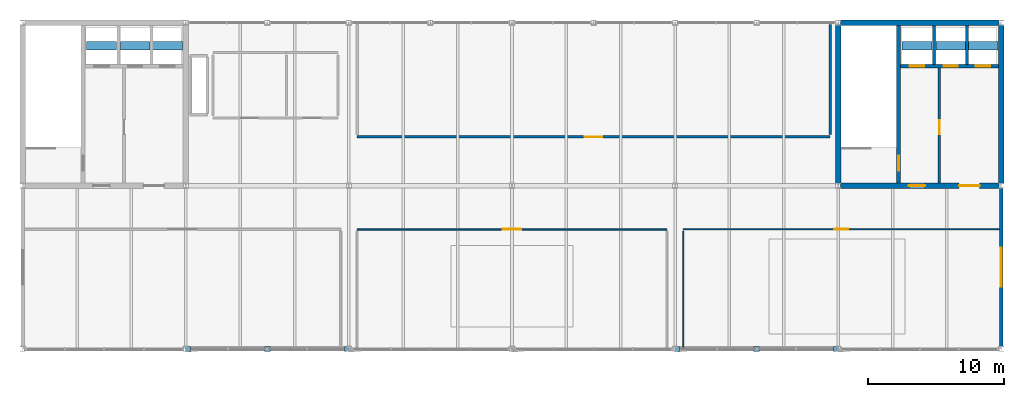
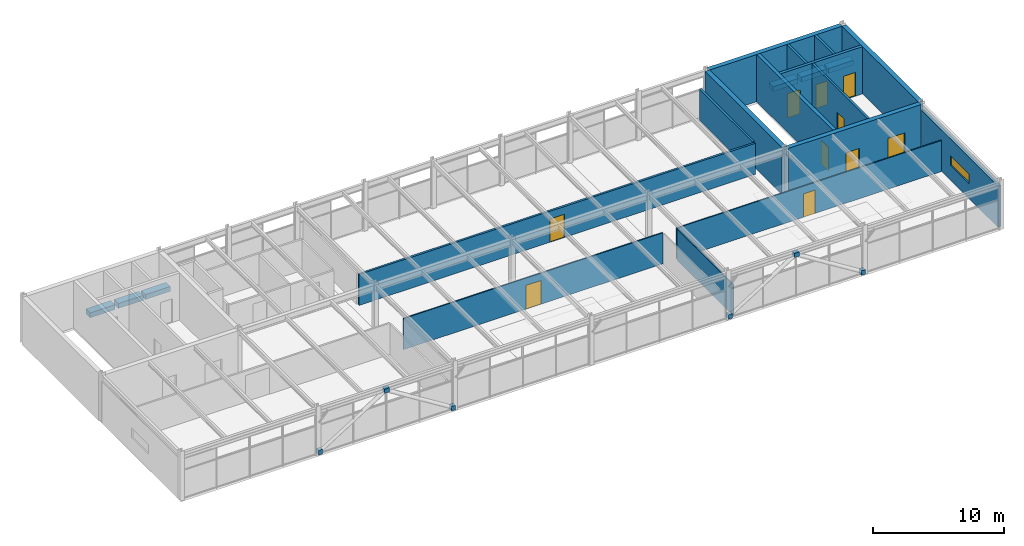
# One storey, part 27 of 28: 15 walls, 12 discrete accessories, 10 doors, 1 window, 11 openings.
"""IFC4 building model written with IfcOpenShell, lengths in metres."""

import ifcopenshell
import ifcopenshell.guid

model = None  # the IFC model being written
_history = None  # IfcOwnerHistory: only IFC2X3 demands one
_inside = {}  # id of a spatial element -> (the spatial element, [elements in it])
_under = {}  # id of a project, library or spatial element -> (it, [spatial elements below it])
_declared = {}  # id of a project -> (the project, [libraries it declares])
_typed = {}  # id of a type object -> (the type object, [elements of that type])
_made_of = {}  # id of a material, layer set ... -> (it, [elements and type objects made of it])


def new_model(schema):
    """Start an empty IFC model of exactly this schema.

    Asked for "IFC4X3", IfcOpenShell would pick the latest addendum, in which some entities
    have other attributes; the version numbers below select the first issue.
    IFC2X3 requires an IfcOwnerHistory on every rooted entity: one is made here for all.
    """
    global model, _history
    if schema == "IFC4X3":
        model = ifcopenshell.file(schema_version=(4, 3, 0, 0))
    else:
        model = ifcopenshell.file(schema=schema)
    _inside.clear()
    _under.clear()
    _declared.clear()
    _typed.clear()
    _made_of.clear()
    _history = None
    if model.schema == "IFC2X3":
        org = make("IfcOrganization", Name="unknown")
        user = make(
            "IfcPersonAndOrganization",
            ThePerson=make("IfcPerson", FamilyName="unknown"),
            TheOrganization=org,
        )
        app = make(
            "IfcApplication",
            ApplicationDeveloper=org,
            Version="unknown",
            ApplicationFullName="unknown",
            ApplicationIdentifier="unknown",
        )
        _history = make(
            "IfcOwnerHistory",
            OwningUser=user,
            OwningApplication=app,
            ChangeAction="ADDED",
            CreationDate=0,
        )
    return model


def make(cls, **values):
    """One entity of the class cls with the attributes given. An attribute that is None is left unset."""
    return model.create_entity(
        cls, **{name: value for name, value in values.items() if value is not None}
    )


def rooted(cls, **values):
    """An entity with a GlobalId (a new one), such as an element, a storey or a relation."""
    return make(cls, GlobalId=ifcopenshell.guid.new(), OwnerHistory=_history, **values)


def si_unit(unit_type, name, prefix=None):
    """IfcSIUnit, for example si_unit("LENGTHUNIT", "METRE", prefix="MILLI")."""
    return make("IfcSIUnit", UnitType=unit_type, Prefix=prefix, Name=name)


def assignment(units):
    """IfcUnitAssignment: the units of a project."""
    return None if units is None else make("IfcUnitAssignment", Units=units)


def point(xyz):
    """IfcCartesianPoint."""
    return None if xyz is None else make("IfcCartesianPoint", Coordinates=xyz)


def direction(xyz):
    """IfcDirection."""
    return None if xyz is None else make("IfcDirection", DirectionRatios=xyz)


def frame(location, z_axis=None, x_axis=None):
    """IfcAxis2Placement3D, a coordinate frame: its origin and axes. An axis left out is left unset."""
    return make(
        "IfcAxis2Placement3D",
        Location=point(location),
        Axis=direction(z_axis),
        RefDirection=direction(x_axis),
    )


def frame_2d(location, x_axis=None):
    """IfcAxis2Placement2D, a coordinate frame in the plane: its origin and x axis."""
    return make(
        "IfcAxis2Placement2D", Location=point(location), RefDirection=direction(x_axis)
    )


def origin():
    """The frame at (0, 0, 0) with its axes left unset."""
    return frame((0.0, 0.0, 0.0))


def origin_2d():
    """The frame at (0, 0) in the plane with its x axis left unset."""
    return frame_2d((0.0, 0.0))


def place(relative_to, where):
    """IfcLocalPlacement: puts the frame where relative to a parent placement (None: the world)."""
    return make(
        "IfcLocalPlacement", PlacementRelTo=relative_to, RelativePlacement=where
    )


def context(
    kind, dimensions, precision=None, world=None, true_north=None, identifier=None
):
    """IfcGeometricRepresentationContext, for example the 3D "Model" context."""
    return make(
        "IfcGeometricRepresentationContext",
        ContextIdentifier=identifier,
        ContextType=kind,
        CoordinateSpaceDimension=dimensions,
        Precision=precision,
        WorldCoordinateSystem=world,
        TrueNorth=true_north,
    )


def subcontext(parent, identifier, kind, view, scale=None):
    """IfcGeometricRepresentationSubContext, for example "Body" below "Model"."""
    return make(
        "IfcGeometricRepresentationSubContext",
        ContextIdentifier=identifier,
        ContextType=kind,
        ParentContext=parent,
        TargetScale=scale,
        TargetView=view,
    )


def project(units=None, contexts=None):
    """IfcProject with its units and contexts."""
    return rooted(
        "IfcProject",
        Name="project",
        RepresentationContexts=contexts,
        UnitsInContext=assignment(units),
    )


def spatial(cls, under=None, at=None, **own):
    """A site, building, storey or space (cls), placed at a placement, below another one or the project."""
    s = rooted(cls, ObjectPlacement=at, **own)
    if under is not None:
        _under.setdefault(under.id(), (under, []))[1].append(s)
    return s


def profile(cls, at=None, kind="AREA", **sizes):
    """A parametric profile (cls). Its sizes go by their IFC names, for example OverallWidth=200.0."""
    return make(cls, ProfileType=kind, Position=at, **sizes)


def rectangle(**sizes):
    """IfcRectangleProfileDef."""
    return profile("IfcRectangleProfileDef", **sizes)


def extrude(swept, where, along, depth):
    """IfcExtrudedAreaSolid: the profile swept, set in the frame where, extruded along a direction by depth."""
    return make(
        "IfcExtrudedAreaSolid",
        SweptArea=swept,
        Position=where,
        ExtrudedDirection=direction(along),
        Depth=depth,
    )


def shape(context_of_items, identifier, shape_type, items):
    """IfcShapeRepresentation: the items that make up one representation, for example the "Body"."""
    return make(
        "IfcShapeRepresentation",
        ContextOfItems=context_of_items,
        RepresentationIdentifier=identifier,
        RepresentationType=shape_type,
        Items=items,
    )


def material(Name=None, Category=None):
    """IfcMaterial."""
    return make("IfcMaterial", Name=Name, Category=Category)


def layer(
    of_material, thickness, ventilated=None, Name=None, Category=None, Priority=None
):
    """IfcMaterialLayer: one layer of a wall or slab, of a material (None: an air gap)."""
    return make(
        "IfcMaterialLayer",
        Material=of_material,
        LayerThickness=thickness,
        IsVentilated=ventilated,
        Name=Name,
        Category=Category,
        Priority=Priority,
    )


def layer_set(layers, Name=None):
    """IfcMaterialLayerSet."""
    return make("IfcMaterialLayerSet", MaterialLayers=layers, LayerSetName=Name)


def made_of(thing, what):
    """Note that an element or type object is made of a material, layer set ...; save() writes the relation."""
    if what is not None:
        _made_of.setdefault(what.id(), (what, []))[1].append(thing)
    return thing


def type_object(cls, material=None, **own):
    """A type object (cls), such as IfcWallType, which elements share."""
    return made_of(rooted(cls, **own), material)


def element(
    cls,
    number,
    at=None,
    inside=None,
    cuts=None,
    type_object=None,
    material=None,
    context=None,
    identifier="Body",
    shape_type=None,
    held_by="IfcProductDefinitionShape",
    body=None,
    shapes=None,
    **own,
):
    """One element of the class cls, such as IfcWall. Its Tag is "e" and its number.

    at: its placement. inside: the storey or other place that contains it. cuts: it is an
    opening in that element (IfcRelVoidsElement). A single representation is given by context,
    identifier, shape_type and body (its items); several are given by shapes. held_by: the class
    of the entity that holds the representations. save() writes the other relations.
    """
    e = rooted(cls, Tag="e%d" % number, ObjectPlacement=at, **own)
    if body is not None:
        shapes = [shape(context, identifier, shape_type, body)]
    if shapes is not None:
        e.Representation = make(held_by, Representations=shapes)
    if inside is not None:
        _inside.setdefault(inside.id(), (inside, []))[1].append(e)
    if cuts is not None:
        rooted(
            "IfcRelVoidsElement", RelatingBuildingElement=cuts, RelatedOpeningElement=e
        )
    if type_object is not None:
        _typed.setdefault(type_object.id(), (type_object, []))[1].append(e)
    return made_of(e, material)


def fill(opening, filler):
    """IfcRelFillsElement: the door or window that sits in an opening."""
    return rooted(
        "IfcRelFillsElement",
        RelatingOpeningElement=opening,
        RelatedBuildingElement=filler,
    )


def aggregate(whole, parts):
    """IfcRelAggregates: a whole, such as a stair, and the parts it consists of."""
    return rooted("IfcRelAggregates", RelatingObject=whole, RelatedObjects=parts)


def save(model, path):
    """Write the relations noted so far, then the file.

    IfcRelAggregates (storeys below a building ...), IfcRelContainedInSpatialStructure (elements
    in a storey), IfcRelDefinesByType, IfcRelAssociatesMaterial and IfcRelDeclares: one each for
    every whole, place, type object, material and project.
    """
    for whole, parts in _under.values():
        aggregate(whole, parts)
    for where, things in _inside.values():
        rooted(
            "IfcRelContainedInSpatialStructure",
            RelatedElements=things,
            RelatingStructure=where,
        )
    for kind, things in _typed.values():
        rooted("IfcRelDefinesByType", RelatedObjects=things, RelatingType=kind)
    for what, things in _made_of.values():
        rooted("IfcRelAssociatesMaterial", RelatedObjects=things, RelatingMaterial=what)
    for by, libraries in _declared.values():
        rooted("IfcRelDeclares", RelatingContext=by, RelatedDefinitions=libraries)
    model.write(path)


model = new_model("IFC4")

# Units and contexts
model_context = context("Model", 3, precision=1e-05, world=origin(), true_north=direction((0.0, 1.0)))
body_context = subcontext(model_context, "Body", "Model", "MODEL_VIEW")
ifc_project = project(units=[si_unit("LENGTHUNIT", "METRE"), si_unit("AREAUNIT", "SQUARE_METRE"), si_unit("VOLUMEUNIT", "CUBIC_METRE"), si_unit("PLANEANGLEUNIT", "RADIAN"), si_unit("MASSUNIT", "GRAM", prefix="KILO")], contexts=[model_context])

# Site, building, storey
site_placement = place(None, origin())
site = spatial("IfcSite", under=ifc_project, at=site_placement, CompositionType="ELEMENT")
building_placement = place(site_placement, origin())
building = spatial("IfcBuilding", under=site, at=building_placement, Name="Girod Span Mobility Hub", CompositionType="ELEMENT")
storey_placement = place(building_placement, frame((0.0, 0.0, 69.60009765625)))
storey = spatial("IfcBuildingStorey", under=building, at=storey_placement, Name="L17", CompositionType="ELEMENT", Elevation=69.60009765625)

# Wall, openings, doors
ifc_material_1 = material(Name="Concrete C40/50", Category="concrete")
ifc_layer_1 = layer(ifc_material_1, 0.39990234375)
ifc_layer_set_1 = layer_set([ifc_layer_1], Name="Concrete C40/50")
wall_type_1 = type_object("IfcWallType", Name="W-CW-400", PredefinedType="SHEAR", material=ifc_layer_set_1)
wall_1_placement = place(storey_placement, frame((108.181396484375, 57.0, 0.0), z_axis=(0.0, 0.0, 1.0), x_axis=(1.0, 0.0, 0.0)))
wall_1 = element("IfcWall", 1, at=wall_1_placement, inside=storey, type_object=wall_type_1, Name="Core C2 Shear Wall S L17", PredefinedType="SHEAR", context=body_context, shape_type="SweptSolid", body=[
    extrude(rectangle(XDim=11.63720703125, YDim=0.39990234375, at=frame_2d((5.818603515625, 0.0))), origin(), (0.0, 0.0, 1.0), 4.3828125),
])
opening_1_placement = place(wall_1_placement, frame((5.01904296875, 0.0, 0.0)))
opening_1 = element("IfcOpeningElement", 2, at=opening_1_placement, cuts=wall_1, Name="Opening D-FL-C2-L17", PredefinedType="OPENING", context=body_context, shape_type="SweptSolid", body=[
    extrude(rectangle(XDim=1.199951171875, YDim=2.199951171875, at=frame_2d((0.60009765625, 1.10009765625))), frame((0.0, 0.21484375, 0.0), z_axis=(0.0, -1.0, 0.0), x_axis=(1.0, 0.0, 0.0)), (0.0, 0.0, 1.0), 0.429931640625),
])
opening_2_placement = place(wall_1_placement, frame((8.718994140625, 0.0, 0.0)))
opening_2 = element("IfcOpeningElement", 3, at=opening_2_placement, cuts=wall_1, Name="Opening D-LB-C2-L17", PredefinedType="OPENING", context=body_context, shape_type="SweptSolid", body=[
    extrude(rectangle(XDim=1.5, YDim=2.25, at=frame_2d((0.75, 1.125))), frame((0.0, 0.21484375, 0.0), z_axis=(0.0, -1.0, 0.0), x_axis=(1.0, 0.0, 0.0)), (0.0, 0.0, 1.0), 0.429931640625),
])
ifc_material_2 = material(Name="Fire-Rated Insulated Hollow Metal Steel", Category="steel")
door_type_1 = type_object("IfcDoorType", Name="DT-FD-03", OperationType="DOUBLE_DOOR_SINGLE_SWING", PredefinedType="DOOR", material=ifc_material_2)
door_1_placement = place(opening_2_placement, origin())
door_1 = element("IfcDoor", 4, at=door_1_placement, inside=storey, type_object=door_type_1, Name="Lift Lobby Entry Door C2 L17", OperationType="DOUBLE_DOOR_SINGLE_SWING", OverallHeight=2.25, OverallWidth=1.5, PredefinedType="DOOR", context=body_context, shape_type="SweptSolid", body=[
    extrude(rectangle(XDim=1.5, YDim=2.25, at=frame_2d((0.75, 1.125))), frame((0.0, 0.02490234375, 0.0), z_axis=(0.0, -1.0, 0.0), x_axis=(1.0, 0.0, 0.0)), (0.0, 0.0, 1.0), 0.050048828125),
])
fill(opening_2, door_1)
ifc_material_3 = material(Name="Fire-Rated Insulated Hollow Metal Steel", Category="steel")
door_type_2 = type_object("IfcDoorType", Name="DT-FD-05", OperationType="NOTDEFINED", PredefinedType="DOOR", material=ifc_material_3)
door_2_placement = place(opening_1_placement, origin())
door_2 = element("IfcDoor", 5, at=door_2_placement, inside=storey, type_object=door_type_2, Name="Firefighting Lobby Entry Door C2 L17", OperationType="SINGLE_SWING_RIGHT", OverallHeight=2.199951171875, OverallWidth=1.199951171875, PredefinedType="DOOR", context=body_context, shape_type="SweptSolid", body=[
    extrude(rectangle(XDim=1.199951171875, YDim=2.199951171875, at=frame_2d((0.60009765625, 1.10009765625))), frame((0.0, 0.02490234375, 0.0), z_axis=(0.0, -1.0, 0.0), x_axis=(1.0, 0.0, 0.0)), (0.0, 0.0, 1.0), 0.050048828125),
])
fill(opening_1, door_2)

# Walls
wall_2_placement = place(storey_placement, frame((108.181396484375, 69.0, 0.0), z_axis=(0.0, 0.0, 1.0), x_axis=(1.0, 0.0, 0.0)))
element("IfcWall", 6, at=wall_2_placement, inside=storey, type_object=wall_type_1, Name="Core C2 Shear Wall N L17", PredefinedType="SHEAR", context=body_context, shape_type="SweptSolid", body=[
    extrude(rectangle(XDim=11.63720703125, YDim=0.39990234375, at=frame_2d((5.818603515625, 0.0))), origin(), (0.0, 0.0, 1.0), 4.3828125),
])
for number, where, z_axis, x_axis, name in (
    (7, (108.0, 57.175048828125, 0.0), (0.0, 0.0, 1.0), (0.0, 1.0, 0.0), "Core C2 Shear Wall W L17"),
    (8, (120.0, 57.175048828125, 0.0), (0.0, 0.0, 1.0), (0.0, 1.0, 0.0), "Core C2 Shear Wall E L17"),
):
    element("IfcWall", number, at=place(storey_placement, frame(where, z_axis=z_axis, x_axis=x_axis)), inside=storey, type_object=wall_type_1, Name=name, PredefinedType="SHEAR", context=body_context, shape_type="SweptSolid", body=[
        extrude(rectangle(XDim=11.64990234375, YDim=0.39990234375, at=frame_2d((5.824951171875, 0.0))), origin(), (0.0, 0.0, 1.0), 4.3828125),
    ])

# Wall, opening, window
ifc_material_4 = material(Name="Precast Architectural Concrete C40/50", Category="concrete")
ifc_layer_2 = layer(ifc_material_4, 0.27001953125)
ifc_layer_set_2 = layer_set([ifc_layer_2], Name="Precast Architectural Concrete C40/50")
wall_type_2 = type_object("IfcWallType", Name="W-EXT-270", PredefinedType="SOLIDWALL", material=ifc_layer_set_2)
wall_3_placement = place(storey_placement, frame((120.0, 45.176025390625, 0.0), z_axis=(0.0, 0.0, 1.0), x_axis=(0.0, 1.0, 0.0)))
wall_3 = element("IfcWall", 9, at=wall_3_placement, inside=storey, type_object=wall_type_2, Name="End Facade Insulated Wall E-D L17", PredefinedType="SOLIDWALL", context=body_context, shape_type="SweptSolid", body=[
    extrude(rectangle(XDim=11.64794921875, YDim=0.27001953125, at=frame_2d((5.823974609375, 0.0))), origin(), (0.0, 0.0, 1.0), 3.8359375),
])
opening_3_placement = place(wall_3_placement, frame((4.39892578125, 0.0, 1.39990234375)))
opening_3 = element("IfcOpeningElement", 10, at=opening_3_placement, cuts=wall_3, Name="Opening W-L17-E3", PredefinedType="OPENING", context=body_context, shape_type="SweptSolid", body=[
    extrude(rectangle(XDim=2.85009765625, YDim=0.8798828125, at=frame_2d((1.425048828125, 0.43994140625))), frame((0.0, 0.14990234375, 0.0), z_axis=(0.0, -1.0, 0.0), x_axis=(1.0, 0.0, 0.0)), (0.0, 0.0, 1.0), 0.300048828125),
])
ifc_material_5 = material(Name="Double Low-E Insulated Glazing", Category="glass")
window_type = type_object("IfcWindowType", Name="WN-47", PartitioningType="DOUBLE_PANEL_VERTICAL", PredefinedType="USERDEFINED", material=ifc_material_5)
window_placement = place(opening_3_placement, origin())
window = element("IfcWindow", 11, at=window_placement, inside=storey, type_object=window_type, Name="End Office Window WN-47", ObjectType="TRANSOM LIGHT", OverallHeight=0.8798828125, OverallWidth=2.85009765625, PartitioningType="DOUBLE_PANEL_VERTICAL", PredefinedType="USERDEFINED", context=body_context, shape_type="SweptSolid", body=[
    extrude(rectangle(XDim=2.85009765625, YDim=0.8798828125, at=frame_2d((1.425048828125, 0.43994140625))), frame((0.0, 0.030029296875, 0.0), z_axis=(0.0, -1.0, 0.0), x_axis=(1.0, 0.0, 0.0)), (0.0, 0.0, 1.0), 0.06005859375),
])
fill(opening_3, window)

# Wall, opening, door
ifc_material_6 = material(Name="Concrete C40/50", Category="concrete")
ifc_layer_3 = layer(ifc_material_6, 0.18994140625)
ifc_layer_set_3 = layer_set([ifc_layer_3], Name="Concrete C40/50")
wall_type_3 = type_object("IfcWallType", Name="W-FL-190", PredefinedType="SOLIDWALL", material=ifc_layer_set_3)
wall_4_placement = place(storey_placement, frame((115.449951171875, 57.199951171875, 0.0), z_axis=(0.0, 0.0, 1.0), x_axis=(0.0, 1.0, 0.0)))
wall_4 = element("IfcWall", 12, at=wall_4_placement, inside=storey, type_object=wall_type_3, Name="Core C2 Firefighting Lobby Wall L17", PredefinedType="SOLIDWALL", context=body_context, shape_type="SweptSolid", body=[
    extrude(rectangle(XDim=8.47998046875, YDim=0.18994140625, at=frame_2d((4.239990234375, 0.0))), origin(), (0.0, 0.0, 1.0), 4.372802734375),
])
opening_4_placement = place(wall_4_placement, frame((3.60009765625, 0.0, 0.0)))
opening_4 = element("IfcOpeningElement", 13, at=opening_4_placement, cuts=wall_4, Name="Opening D-FLX-C2-L17", PredefinedType="OPENING", context=body_context, shape_type="SweptSolid", body=[
    extrude(rectangle(XDim=1.0400390625, YDim=2.179931640625, at=frame_2d((0.52001953125, 1.08984375))), frame((0.0, 0.10986328125, 0.0), z_axis=(0.0, -1.0, 0.0), x_axis=(1.0, 0.0, 0.0)), (0.0, 0.0, 1.0), 0.219970703125),
])
ifc_material_7 = material(Name="Fire-Rated Insulated Hollow Metal Steel", Category="steel")
door_type_3 = type_object("IfcDoorType", Name="DT-FD-02", OperationType="NOTDEFINED", PredefinedType="DOOR", material=ifc_material_7)
door_3_placement = place(opening_4_placement, origin())
door_3 = element("IfcDoor", 14, at=door_3_placement, inside=storey, type_object=door_type_3, Name="Firefighting Lobby Interconnect Door C2 L17", OperationType="SINGLE_SWING_RIGHT", OverallHeight=2.179931640625, OverallWidth=1.0400390625, PredefinedType="DOOR", context=body_context, shape_type="SweptSolid", body=[
    extrude(rectangle(XDim=1.0400390625, YDim=2.179931640625, at=frame_2d((0.52001953125, 1.08984375))), frame((0.0, 0.02490234375, 0.0), z_axis=(0.0, -1.0, 0.0), x_axis=(1.0, 0.0, 0.0)), (0.0, 0.0, 1.0), 0.050048828125),
])
fill(opening_4, door_3)

ifc_material_8 = material(Name="Reinforced Concrete Masonry Block", Category="masonry")
ifc_layer_4 = layer(ifc_material_8, 0.179931640625)
ifc_layer_set_4 = layer_set([ifc_layer_4], Name="Reinforced Concrete Masonry Block")
wall_type_4 = type_object("IfcWallType", Name="W-FP-180", PredefinedType="SOLIDWALL", material=ifc_layer_set_4)
wall_5_placement = place(storey_placement, frame((72.60009765625, 60.60009765625, 0.0), z_axis=(0.0, 0.0, 1.0), x_axis=(1.0, 0.0, 0.0)))
wall_5 = element("IfcWall", 15, at=wall_5_placement, inside=storey, type_object=wall_type_4, Name="Chiller Plant Penthouse Mechanical Partition S", PredefinedType="SOLIDWALL", context=body_context, shape_type="SweptSolid", body=[
    extrude(rectangle(XDim=34.7998046875, YDim=0.179931640625, at=frame_2d((17.39990234375, 0.0))), origin(), (0.0, 0.0, 1.0), 2.8798828125),
])
opening_5_placement = place(wall_5_placement, frame((16.77001953125, 0.0, 0.0)))
opening_5 = element("IfcOpeningElement", 16, at=opening_5_placement, cuts=wall_5, Name="Opening D-L17-CHIL-17", PredefinedType="OPENING", context=body_context, shape_type="SweptSolid", body=[
    extrude(rectangle(XDim=1.260009765625, YDim=2.159912109375, at=frame_2d((0.6298828125, 1.080078125))), frame((0.0, 0.10498046875, 0.0), z_axis=(0.0, -1.0, 0.0), x_axis=(1.0, 0.0, 0.0)), (0.0, 0.0, 1.0), 0.2099609375),
])
ifc_material_9 = material(Name="Fire-Rated Insulated Hollow Metal Steel", Category="steel")
door_type_4 = type_object("IfcDoorType", Name="DT-FD-13", OperationType="NOTDEFINED", PredefinedType="DOOR", material=ifc_material_9)
door_4_placement = place(opening_5_placement, origin())
door_4 = element("IfcDoor", 17, at=door_4_placement, inside=storey, type_object=door_type_4, Name="Chiller Plant Penthouse Mechanical Door", OperationType="SINGLE_SWING_RIGHT", OverallHeight=2.159912109375, OverallWidth=1.260009765625, PredefinedType="DOOR", context=body_context, shape_type="SweptSolid", body=[
    extrude(rectangle(XDim=1.260009765625, YDim=2.159912109375, at=frame_2d((0.6298828125, 1.080078125))), frame((0.0, 0.02490234375, 0.0), z_axis=(0.0, -1.0, 0.0), x_axis=(1.0, 0.0, 0.0)), (0.0, 0.0, 1.0), 0.050048828125),
])
fill(opening_5, door_4)

# Wall
wall_6_placement = place(storey_placement, frame((107.39990234375, 60.760009765625, 0.0), z_axis=(0.0, 0.0, 1.0), x_axis=(0.0, 1.0, 0.0)))
element("IfcWall", 18, at=wall_6_placement, inside=storey, type_object=wall_type_4, Name="Chiller Plant Penthouse Mechanical Partition E", PredefinedType="SOLIDWALL", context=body_context, shape_type="SweptSolid", body=[
    extrude(rectangle(XDim=8.10009765625, YDim=0.179931640625, at=frame_2d((4.050048828125, 0.0))), origin(), (0.0, 0.0, 1.0), 2.8798828125),
])

# Wall, opening, door
ifc_material_10 = material(Name="Gypsum Acoustic Operable Panel on Galvanised Steel Framing", Category="steel")
ifc_layer_5 = layer(ifc_material_10, 0.10791015625)
ifc_layer_set_5 = layer_set([ifc_layer_5], Name="Gypsum Acoustic Operable Panel on Galvanised Steel Framing")
wall_type_5 = type_object("IfcWallType", Name="W-MOV-108", PredefinedType="MOVABLE", material=ifc_layer_set_5)
wall_7_placement = place(storey_placement, frame((72.60009765625, 53.800048828125, 0.0), z_axis=(0.0, 0.0, 1.0), x_axis=(1.0, 0.0, 0.0)))
wall_7 = element("IfcWall", 19, at=wall_7_placement, inside=storey, type_object=wall_type_5, Name="Boardroom Civic Mobility Commission Partition N", PredefinedType="MOVABLE", context=body_context, shape_type="SweptSolid", body=[
    extrude(rectangle(XDim=22.7998046875, YDim=0.10791015625, at=frame_2d((11.39990234375, 0.0))), origin(), (0.0, 0.0, 1.0), 2.8798828125),
])
opening_6_placement = place(wall_7_placement, frame((10.735107421875, 0.0, 0.0)))
opening_6 = element("IfcOpeningElement", 20, at=opening_6_placement, cuts=wall_7, Name="Opening D-L17-BRD-17", PredefinedType="OPENING", context=body_context, shape_type="SweptSolid", body=[
    extrude(rectangle(XDim=1.330078125, YDim=2.199951171875, at=frame_2d((0.6650390625, 1.10009765625))), frame((0.0, 0.06884765625, 0.0), z_axis=(0.0, -1.0, 0.0), x_axis=(1.0, 0.0, 0.0)), (0.0, 0.0, 1.0), 0.137939453125),
])
ifc_material_11 = material(Name="Solid-Core Architectural Timber", Category="wood")
door_type_5 = type_object("IfcDoorType", Name="DT-NR-10", OperationType="DOUBLE_DOOR_SINGLE_SWING", PredefinedType="DOOR", material=ifc_material_11)
door_5_placement = place(opening_6_placement, origin())
door_5 = element("IfcDoor", 21, at=door_5_placement, inside=storey, type_object=door_type_5, Name="Boardroom Civic Mobility Commission Door", OperationType="DOUBLE_DOOR_SINGLE_SWING", OverallHeight=2.199951171875, OverallWidth=1.330078125, PredefinedType="DOOR", context=body_context, shape_type="SweptSolid", body=[
    extrude(rectangle(XDim=1.330078125, YDim=2.199951171875, at=frame_2d((0.6650390625, 1.10009765625))), frame((0.0, 0.02490234375, 0.0), z_axis=(0.0, -1.0, 0.0), x_axis=(1.0, 0.0, 0.0)), (0.0, 0.0, 1.0), 0.050048828125),
])
fill(opening_6, door_5)

ifc_material_12 = material(Name="Fire-Rated Gypsum Board on Metal Studs", Category="gypsum")
ifc_layer_6 = layer(ifc_material_12, 0.097900390625)
ifc_layer_set_6 = layer_set([ifc_layer_6], Name="Fire-Rated Gypsum Board on Metal Studs")
wall_type_6 = type_object("IfcWallType", Name="W-PT-098", PredefinedType="PARTITIONING", material=ifc_layer_set_6)
wall_8_placement = place(storey_placement, frame((96.60009765625, 53.800048828125, 0.0), z_axis=(0.0, 0.0, 1.0), x_axis=(1.0, 0.0, 0.0)))
wall_8 = element("IfcWall", 22, at=wall_8_placement, inside=storey, type_object=wall_type_6, Name="Office Suite Director Partition N", PredefinedType="PARTITIONING", context=body_context, shape_type="SweptSolid", body=[
    extrude(rectangle(XDim=23.260009765625, YDim=0.097900390625, at=frame_2d((11.6298828125, 0.0))), origin(), (0.0, 0.0, 1.0), 2.8798828125),
])
opening_7_placement = place(wall_8_placement, frame((11.114990234375, 0.0, 0.0)))
opening_7 = element("IfcOpeningElement", 23, at=opening_7_placement, cuts=wall_8, Name="Opening D-L17-EXEC-17", PredefinedType="OPENING", context=body_context, shape_type="SweptSolid", body=[
    extrude(rectangle(XDim=1.030029296875, YDim=2.169921875, at=frame_2d((0.51513671875, 1.0849609375))), frame((0.0, 0.06396484375, 0.0), z_axis=(0.0, -1.0, 0.0), x_axis=(1.0, 0.0, 0.0)), (0.0, 0.0, 1.0), 0.1279296875),
])
ifc_material_13 = material(Name="Solid-Core Architectural Timber", Category="wood")
door_type_6 = type_object("IfcDoorType", Name="DT-NR-04", OperationType="NOTDEFINED", PredefinedType="DOOR", material=ifc_material_13)
door_6_placement = place(opening_7_placement, origin())
door_6 = element("IfcDoor", 24, at=door_6_placement, inside=storey, type_object=door_type_6, Name="Office Suite Director Door", OperationType="SINGLE_SWING_RIGHT", OverallHeight=2.169921875, OverallWidth=1.030029296875, PredefinedType="DOOR", context=body_context, shape_type="SweptSolid", body=[
    extrude(rectangle(XDim=1.030029296875, YDim=2.169921875, at=frame_2d((0.51513671875, 1.0849609375))), frame((0.0, 0.02490234375, 0.0), z_axis=(0.0, -1.0, 0.0), x_axis=(1.0, 0.0, 0.0)), (0.0, 0.0, 1.0), 0.050048828125),
])
fill(opening_7, door_6)

# Walls
wall_9_placement = place(storey_placement, frame((96.60009765625, 45.139892578125, 0.0), z_axis=(0.0, 0.0, 1.0), x_axis=(0.0, 1.0, 0.0)))
element("IfcWall", 25, at=wall_9_placement, inside=storey, type_object=wall_type_6, Name="Office Suite Director Partition W", PredefinedType="PARTITIONING", context=body_context, shape_type="SweptSolid", body=[
    extrude(rectangle(XDim=8.5, YDim=0.097900390625, at=frame_2d((4.25, 0.0))), origin(), (0.0, 0.0, 1.0), 2.8798828125),
])
ifc_material_14 = material(Name="Concrete C40/50", Category="concrete")
ifc_layer_7 = layer(ifc_material_14, 0.199951171875)
ifc_layer_set_7 = layer_set([ifc_layer_7], Name="Concrete C40/50")
wall_type_7 = type_object("IfcWallType", Name="W-SH-200", PredefinedType="SOLIDWALL", material=ifc_layer_set_7)
for number, where, z_axis, x_axis, name in (
    (26, (115.050048828125, 65.919921875, 0.0), (0.0, 0.0, 1.0), (0.0, 1.0, 0.0), "Core C2 Shaft Divider 1 L17"),
    (27, (117.47998046875, 65.919921875, 0.0), (0.0, 0.0, 1.0), (0.0, 1.0, 0.0), "Core C2 Shaft Divider 2 L17"),
):
    element("IfcWall", number, at=place(storey_placement, frame(where, z_axis=z_axis, x_axis=x_axis)), inside=storey, type_object=wall_type_7, Name=name, PredefinedType="SOLIDWALL", context=body_context, shape_type="SweptSolid", body=[
        extrude(rectangle(XDim=2.880126953125, YDim=0.199951171875, at=frame_2d((1.43994140625, 0.0))), origin(), (0.0, 0.0, 1.0), 4.372802734375),
    ])

# Wall, openings, doors
ifc_material_15 = material(Name="Concrete C40/50", Category="concrete")
ifc_layer_8 = layer(ifc_material_15, 0.25)
ifc_layer_set_8 = layer_set([ifc_layer_8], Name="Concrete C40/50")
wall_type_8 = type_object("IfcWallType", Name="W-SH-250", PredefinedType="SOLIDWALL", material=ifc_layer_set_8)
wall_10_placement = place(storey_placement, frame((112.596923828125, 65.800048828125, 0.0), z_axis=(0.0, 0.0, 1.0), x_axis=(1.0, 0.0, 0.0)))
wall_10 = element("IfcWall", 28, at=wall_10_placement, inside=storey, type_object=wall_type_8, Name="Core C2 Hoistway Front Wall L17", PredefinedType="SOLIDWALL", context=body_context, shape_type="SweptSolid", body=[
    extrude(rectangle(XDim=7.2060546875, YDim=0.25, at=frame_2d((3.60302734375, 0.0))), origin(), (0.0, 0.0, 1.0), 4.3828125),
])
opening_8_placement = place(wall_10_placement, frame((0.653076171875, 0.0, 0.0)))
opening_8 = element("IfcOpeningElement", 29, at=opening_8_placement, cuts=wall_10, Name="Opening LD-FL-2-L17", PredefinedType="OPENING", context=body_context, shape_type="SweptSolid", body=[
    extrude(rectangle(XDim=1.10009765625, YDim=2.239990234375, at=frame_2d((0.550048828125, 1.1201171875))), frame((0.0, 0.139892578125, 0.0), z_axis=(0.0, -1.0, 0.0), x_axis=(1.0, 0.0, 0.0)), (0.0, 0.0, 1.0), 0.280029296875),
])
opening_9_placement = place(wall_10_placement, frame((3.153076171875, 0.0, 0.0)))
opening_9 = element("IfcOpeningElement", 30, at=opening_9_placement, cuts=wall_10, Name="Opening LD-LP-3-L17", PredefinedType="OPENING", context=body_context, shape_type="SweptSolid", body=[
    extrude(rectangle(XDim=1.050048828125, YDim=2.199951171875, at=frame_2d((0.52490234375, 1.10009765625))), frame((0.0, 0.139892578125, 0.0), z_axis=(0.0, -1.0, 0.0), x_axis=(1.0, 0.0, 0.0)), (0.0, 0.0, 1.0), 0.280029296875),
])
opening_10_placement = place(wall_10_placement, frame((5.528076171875, 0.0, 0.0)))
opening_10 = element("IfcOpeningElement", 31, at=opening_10_placement, cuts=wall_10, Name="Opening LD-LP-4-L17", PredefinedType="OPENING", context=body_context, shape_type="SweptSolid", body=[
    extrude(rectangle(XDim=1.050048828125, YDim=2.199951171875, at=frame_2d((0.52490234375, 1.10009765625))), frame((0.0, 0.139892578125, 0.0), z_axis=(0.0, -1.0, 0.0), x_axis=(1.0, 0.0, 0.0)), (0.0, 0.0, 1.0), 0.280029296875),
])
ifc_material_16 = material(Name="Brushed Stainless Steel Grade 304", Category="steel")
door_type_7 = type_object("IfcDoorType", Name="LD-FL-110", OperationType="SLIDING_TO_LEFT", PredefinedType="USERDEFINED", material=ifc_material_16)
door_7_placement = place(opening_8_placement, origin())
door_7 = element("IfcDoor", 32, at=door_7_placement, inside=storey, type_object=door_type_7, Name="Lift FL-2 Sliding Landing Door L17", ObjectType="LANDING DOOR", OperationType="SLIDING_TO_LEFT", OverallHeight=2.239990234375, OverallWidth=1.10009765625, PredefinedType="USERDEFINED", context=body_context, shape_type="SweptSolid", body=[
    extrude(rectangle(XDim=1.10009765625, YDim=2.239990234375, at=frame_2d((0.550048828125, 1.1201171875))), frame((0.0, 0.02490234375, 0.0), z_axis=(0.0, -1.0, 0.0), x_axis=(1.0, 0.0, 0.0)), (0.0, 0.0, 1.0), 0.050048828125),
])
fill(opening_8, door_7)
ifc_material_17 = material(Name="Brushed Stainless Steel Grade 304", Category="steel")
door_type_8 = type_object("IfcDoorType", Name="LD-LP-105", OperationType="SLIDING_TO_LEFT", PredefinedType="USERDEFINED", material=ifc_material_17)
door_8_placement = place(opening_9_placement, origin())
door_8 = element("IfcDoor", 33, at=door_8_placement, inside=storey, type_object=door_type_8, Name="Lift LP-3 Sliding Landing Door L17", ObjectType="LANDING DOOR", OperationType="SLIDING_TO_LEFT", OverallHeight=2.199951171875, OverallWidth=1.050048828125, PredefinedType="USERDEFINED", context=body_context, shape_type="SweptSolid", body=[
    extrude(rectangle(XDim=1.050048828125, YDim=2.199951171875, at=frame_2d((0.52490234375, 1.10009765625))), frame((0.0, 0.02490234375, 0.0), z_axis=(0.0, -1.0, 0.0), x_axis=(1.0, 0.0, 0.0)), (0.0, 0.0, 1.0), 0.050048828125),
])
fill(opening_9, door_8)
door_9_placement = place(opening_10_placement, origin())
door_9 = element("IfcDoor", 34, at=door_9_placement, inside=storey, type_object=door_type_8, Name="Lift LP-4 Sliding Landing Door L17", ObjectType="LANDING DOOR", OperationType="SLIDING_TO_LEFT", OverallHeight=2.199951171875, OverallWidth=1.050048828125, PredefinedType="USERDEFINED", context=body_context, shape_type="SweptSolid", body=[
    extrude(rectangle(XDim=1.050048828125, YDim=2.199951171875, at=frame_2d((0.52490234375, 1.10009765625))), frame((0.0, 0.02490234375, 0.0), z_axis=(0.0, -1.0, 0.0), x_axis=(1.0, 0.0, 0.0)), (0.0, 0.0, 1.0), 0.050048828125),
])
fill(opening_10, door_9)

# Wall, opening, door
ifc_material_18 = material(Name="Concrete C40/50", Category="concrete")
ifc_layer_9 = layer(ifc_material_18, 0.300048828125)
ifc_layer_set_9 = layer_set([ifc_layer_9], Name="Concrete C40/50")
wall_type_9 = type_object("IfcWallType", Name="W-SH-300", PredefinedType="SHEAR", material=ifc_layer_set_9)
wall_11_placement = place(storey_placement, frame((112.449951171875, 57.197021484375, 0.0), z_axis=(0.0, 0.0, 1.0), x_axis=(0.0, 1.0, 0.0)))
wall_11 = element("IfcWall", 35, at=wall_11_placement, inside=storey, type_object=wall_type_9, Name="Core C2 Stairwell Spine Wall L17", PredefinedType="SHEAR", context=body_context, shape_type="SweptSolid", body=[
    extrude(rectangle(XDim=11.60595703125, YDim=0.300048828125, at=frame_2d((5.802978515625, 0.0))), origin(), (0.0, 0.0, 1.0), 4.3828125),
])
opening_11_placement = place(wall_11_placement, frame((0.89990234375, 0.0, 0.0)))
opening_11 = element("IfcOpeningElement", 36, at=opening_11_placement, cuts=wall_11, Name="Opening D-ST-2-L17", PredefinedType="OPENING", context=body_context, shape_type="SweptSolid", body=[
    extrude(rectangle(XDim=1.10009765625, YDim=2.199951171875, at=frame_2d((0.550048828125, 1.10009765625))), frame((0.0, 0.1650390625, 0.0), z_axis=(0.0, -1.0, 0.0), x_axis=(1.0, 0.0, 0.0)), (0.0, 0.0, 1.0), 0.330078125),
])
ifc_material_19 = material(Name="Fire-Rated Insulated Hollow Metal Steel", Category="steel")
door_type_9 = type_object("IfcDoorType", Name="DT-FD-01", OperationType="NOTDEFINED", PredefinedType="DOOR", material=ifc_material_19)
door_10_placement = place(opening_11_placement, origin())
door_10 = element("IfcDoor", 37, at=door_10_placement, inside=storey, type_object=door_type_9, Name="Stair ST-2 Fire Door L17", OperationType="SINGLE_SWING_LEFT", OverallHeight=2.199951171875, OverallWidth=1.10009765625, PredefinedType="DOOR", context=body_context, shape_type="SweptSolid", body=[
    extrude(rectangle(XDim=1.10009765625, YDim=2.199951171875, at=frame_2d((0.550048828125, 1.10009765625))), frame((0.0, 0.02490234375, 0.0), z_axis=(0.0, -1.0, 0.0), x_axis=(1.0, 0.0, 0.0)), (0.0, 0.0, 1.0), 0.050048828125),
])
fill(opening_11, door_10)

# Discrete accessories
ifc_material_20 = material(Name="Steel HSS A500 Grade C", Category="steel")
discrete_accessory_type_1 = type_object("IfcDiscreteAccessoryType", Name="ACC-CAP-HSS324", PredefinedType="BRACKET", material=ifc_material_20)
for number, where, z_axis, x_axis, name in (
    (38, (60.162353515625, 45.0, 0.0400390625), (0.0, 0.0, 1.0), (1.0, 0.0, 0.0), "Diagrid Brace End Cap Gusset 6/D-L L17"),
    (39, (71.837646484375, 45.0, 0.0400390625), (0.0, 0.0, 1.0), (1.0, 0.0, 0.0), "Diagrid Brace End Cap Gusset 6/D-R L17"),
):
    element("IfcDiscreteAccessory", number, at=place(storey_placement, frame(where, z_axis=z_axis, x_axis=x_axis)), inside=storey, type_object=discrete_accessory_type_1, Name=name, PredefinedType="BRACKET", context=body_context, shape_type="SweptSolid", body=[
        extrude(rectangle(XDim=0.344482421875, YDim=0.360107421875, at=origin_2d()), origin(), (0.0, 0.0, 1.0), 0.419921875),
    ])
discrete_accessory_1_placement = place(storey_placement, frame((66.0, 45.0, 3.73583984375), z_axis=(0.0, 0.0, 1.0), x_axis=(1.0, 0.0, 0.0)))
element("IfcDiscreteAccessory", 40, at=discrete_accessory_1_placement, inside=storey, type_object=discrete_accessory_type_1, Name="Diagrid Brace Apex End Cap Gusset 6/D-M L17", PredefinedType="BRACKET", context=body_context, shape_type="SweptSolid", body=[
    extrude(rectangle(XDim=0.43994140625, YDim=0.360107421875, at=origin_2d()), origin(), (0.0, 0.0, 1.0), 0.3798828125),
])
for number, where, z_axis, x_axis, name in (
    (41, (96.162353515625, 45.0, 0.0400390625), (0.0, 0.0, 1.0), (1.0, 0.0, 0.0), "Diagrid Brace End Cap Gusset 9/D-L L17"),
    (42, (107.837646484375, 45.0, 0.0400390625), (0.0, 0.0, 1.0), (1.0, 0.0, 0.0), "Diagrid Brace End Cap Gusset 9/D-R L17"),
):
    element("IfcDiscreteAccessory", number, at=place(storey_placement, frame(where, z_axis=z_axis, x_axis=x_axis)), inside=storey, type_object=discrete_accessory_type_1, Name=name, PredefinedType="BRACKET", context=body_context, shape_type="SweptSolid", body=[
        extrude(rectangle(XDim=0.344482421875, YDim=0.360107421875, at=origin_2d()), origin(), (0.0, 0.0, 1.0), 0.419921875),
    ])
discrete_accessory_2_placement = place(storey_placement, frame((102.0, 45.0, 3.73583984375), z_axis=(0.0, 0.0, 1.0), x_axis=(1.0, 0.0, 0.0)))
element("IfcDiscreteAccessory", 43, at=discrete_accessory_2_placement, inside=storey, type_object=discrete_accessory_type_1, Name="Diagrid Brace Apex End Cap Gusset 9/D-M L17", PredefinedType="BRACKET", context=body_context, shape_type="SweptSolid", body=[
    extrude(rectangle(XDim=0.43994140625, YDim=0.360107421875, at=origin_2d()), origin(), (0.0, 0.0, 1.0), 0.3798828125),
])
ifc_material_21 = material(Name="Steel A992 Grade 50", Category="steel")
discrete_accessory_type_2 = type_object("IfcDiscreteAccessoryType", Name="ACC-LFT-MACH", PredefinedType="USERDEFINED", material=ifc_material_21)
for number, where, z_axis, x_axis, name in (
    (44, (53.800048828125, 67.300048828125, 1.89990234375), (0.0, 0.0, 1.0), (1.0, 0.0, 0.0), "Hoistway Traction Machine FL-1"),
    (45, (56.27490234375, 67.300048828125, 1.89990234375), (0.0, 0.0, 1.0), (1.0, 0.0, 0.0), "Hoistway Traction Machine LP-1"),
    (46, (58.64990234375, 67.300048828125, 1.89990234375), (0.0, 0.0, 1.0), (1.0, 0.0, 0.0), "Hoistway Traction Machine LP-2"),
    (47, (113.800048828125, 67.300048828125, 1.89990234375), (0.0, 0.0, 1.0), (1.0, 0.0, 0.0), "Hoistway Traction Machine FL-2"),
    (48, (116.27490234375, 67.300048828125, 1.89990234375), (0.0, 0.0, 1.0), (1.0, 0.0, 0.0), "Hoistway Traction Machine LP-3"),
    (49, (118.64990234375, 67.300048828125, 1.89990234375), (0.0, 0.0, 1.0), (1.0, 0.0, 0.0), "Hoistway Traction Machine LP-4"),
):
    element("IfcDiscreteAccessory", number, at=place(storey_placement, frame(where, z_axis=z_axis, x_axis=x_axis)), inside=storey, type_object=discrete_accessory_type_2, Name=name, ObjectType="TRACTION MACHINE", PredefinedType="USERDEFINED", context=body_context, shape_type="SweptSolid", body=[
        extrude(rectangle(XDim=2.18994140625, YDim=0.64990234375, at=origin_2d()), origin(), (0.0, 0.0, 1.0), 0.449951171875),
    ])

save(model, "model.ifc")
